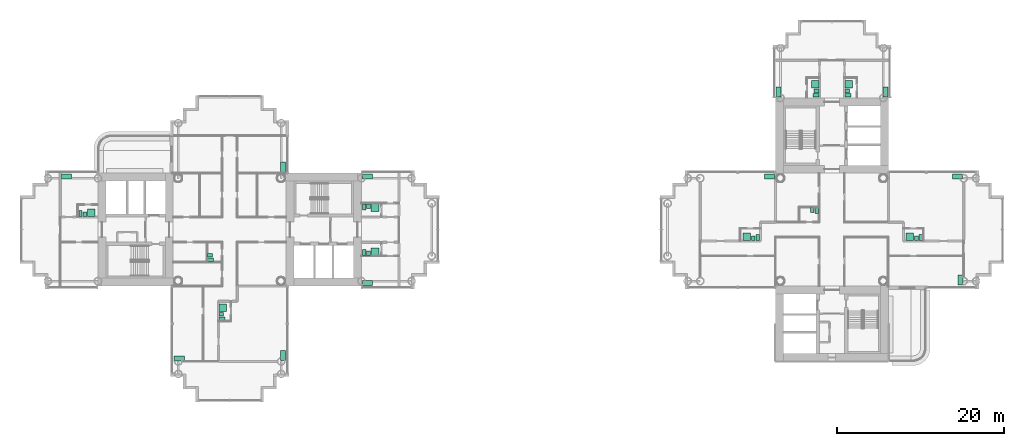
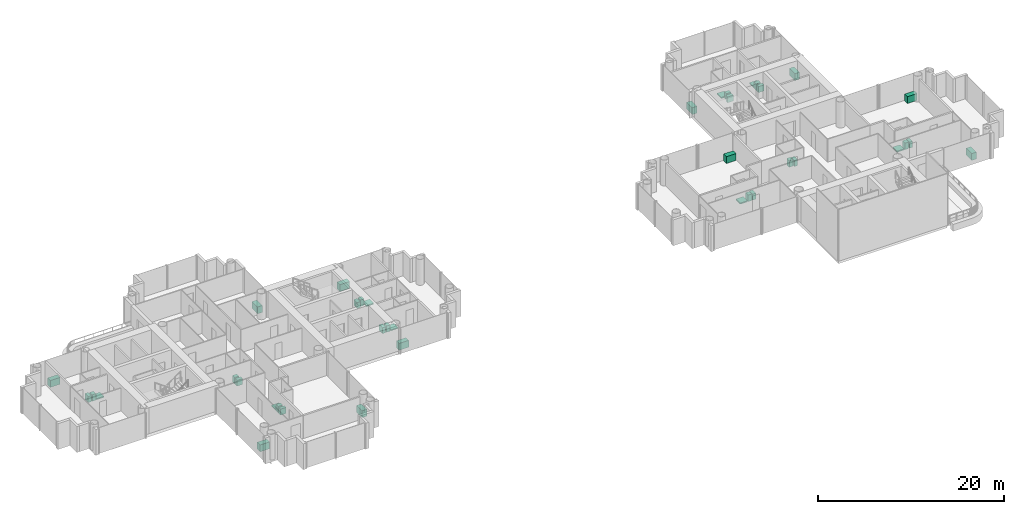
# One storey, part 21 of 21: 39 sanitary terminals.
"""IFC4 building model written with IfcOpenShell, lengths in metres."""

from ifc_helpers import new_model, si_unit, direction, frame, origin, origin_2d, place, context, subcontext, project, spatial, rectangle, extrude, material, type_object, element, save


model = new_model("IFC4")

# Units and contexts
model_context = context("Model", 3, precision=1e-05, world=origin(), true_north=direction((0.0, 1.0)))
body_context = subcontext(model_context, "Body", "Model", "MODEL_VIEW")
ifc_project = project(units=[si_unit("LENGTHUNIT", "METRE"), si_unit("AREAUNIT", "SQUARE_METRE"), si_unit("VOLUMEUNIT", "CUBIC_METRE"), si_unit("PLANEANGLEUNIT", "RADIAN"), si_unit("MASSUNIT", "GRAM", prefix="KILO")], contexts=[model_context])

# Site, building, storey
site_placement = place(None, origin())
site = spatial("IfcSite", under=ifc_project, at=site_placement, CompositionType="ELEMENT")
building_placement = place(site_placement, origin())
building = spatial("IfcBuilding", under=site, at=building_placement, Name="Ipe Terrace Towers", CompositionType="ELEMENT")
storey_placement = place(building_placement, frame((0.0, 0.0, 117.39990234375)))
storey = spatial("IfcBuildingStorey", under=building, at=storey_placement, Name="L32", CompositionType="ELEMENT", Elevation=117.39990234375)

# Sanitary terminals
ifc_material_1 = material(Name="Stainless sink unit", Category="metal")
sanitary_terminal_type_1 = type_object("IfcSanitaryTerminalType", Name="Kitchen sink unit", PredefinedType="SINK", material=ifc_material_1)
for number, where, z_axis, x_axis, name in (
    (1, (-29.6201171875, 7.469970703125, 0.000244140625), (0.0, 0.0, 1.0), (0.0, -1.0, 0.0), "Kitchen sink unit"),
    (2, (-29.6201171875, -15.030029296875, 0.000244140625), (0.0, 0.0, 1.0), (0.0, -1.0, 0.0), "Kitchen sink unit"),
    (3, (-42.030029296875, -15.3798828125, 0.000244140625), (0.0, 0.0, 1.0), (-1.0, 0.0, 0.0), "Kitchen sink unit"),
    (4, (-19.530029296875, 6.3798828125, 0.000244140625), (0.0, 0.0, 1.0), (1.0, 0.0, 0.0), "Kitchen sink unit"),
    (5, (-19.530029296875, -6.3798828125, 0.000244140625), (0.0, 0.0, 1.0), (-1.0, 0.0, 0.0), "Kitchen sink unit"),
    (6, (-55.530029296875, 6.3798828125, 0.000244140625), (0.0, 0.0, 1.0), (1.0, 0.0, 0.0), "Kitchen sink unit"),
    (7, (28.530029296875, 6.3798828125, 0.000244140625), (0.0, 0.0, 1.0), (1.0, 0.0, 0.0), "Kitchen sink unit"),
    (8, (51.030029296875, 6.3798828125, 0.000244140625), (0.0, 0.0, 1.0), (1.0, 0.0, 0.0), "Kitchen sink unit"),
    (9, (51.3798828125, -6.030029296875, 0.000244140625), (0.0, 0.0, 1.0), (0.0, -1.0, 0.0), "Kitchen sink unit"),
    (10, (29.6201171875, 16.469970703125, 0.000244140625), (0.0, 0.0, 1.0), (0.0, 1.0, 0.0), "Kitchen sink unit"),
    (11, (42.3798828125, 16.469970703125, 0.000244140625), (0.0, 0.0, 1.0), (0.0, -1.0, 0.0), "Kitchen sink unit"),
):
    element("IfcSanitaryTerminal", number, at=place(storey_placement, frame(where, z_axis=z_axis, x_axis=x_axis)), inside=storey, type_object=sanitary_terminal_type_1, Name=name, PredefinedType="SINK", context=body_context, shape_type="SweptSolid", body=[
        extrude(rectangle(XDim=1.199951171875, YDim=0.60009765625, at=origin_2d()), origin(), (0.0, 0.0, 1.0), 0.89990234375),
    ])
ifc_material_2 = material(Name="Acrylic", Category="plastic")
sanitary_terminal_type_2 = type_object("IfcSanitaryTerminalType", Name="Shower tray", PredefinedType="SHOWER", material=ifc_material_2)
for number, where, z_axis, x_axis, name in (
    (12, (-36.830078125, -9.330078125, 0.000244140625), (0.0, 0.0, 1.0), (1.0, 0.0, 0.0), "Shower tray"),
    (13, (-18.6298828125, 2.6298828125, 0.000244140625), (0.0, 0.0, 1.0), (0.0, -1.0, 0.0), "Shower tray"),
    (14, (-18.6298828125, -2.6298828125, 0.000244140625), (0.0, 0.0, 1.0), (0.0, 1.0, 0.0), "Shower tray"),
    (15, (-52.530029296875, 2.02001953125, 0.000244140625), (0.0, 0.0, 1.0), (0.0, 1.0, 0.0), "Shower tray"),
    (16, (25.830078125, -0.830078125, 0.000244140625), (0.0, 0.0, 1.0), (0.0, 1.0, 0.0), "Shower tray"),
    (17, (45.330078125, -0.830078125, 0.000244140625), (0.0, 0.0, 1.0), (0.0, 1.0, 0.0), "Shower tray"),
    (18, (33.97998046875, 17.3701171875, 0.000244140625), (0.0, 0.0, 1.0), (-1.0, 0.0, 0.0), "Shower tray"),
    (19, (38.02001953125, 17.3701171875, 0.000244140625), (0.0, 0.0, 1.0), (1.0, 0.0, 0.0), "Shower tray"),
):
    element("IfcSanitaryTerminal", number, at=place(storey_placement, frame(where, z_axis=z_axis, x_axis=x_axis)), inside=storey, type_object=sanitary_terminal_type_2, Name=name, PredefinedType="SHOWER", context=body_context, shape_type="SweptSolid", body=[
        extrude(rectangle(XDim=0.89990234375, YDim=0.89990234375, at=origin_2d()), origin(), (0.0, 0.0, 1.0), 0.14990234375),
    ])
ifc_material_3 = material(Name="Vitreous china", Category="ceramic")
sanitary_terminal_type_3 = type_object("IfcSanitaryTerminalType", Name="Wash basin", PredefinedType="WASHHANDBASIN", material=ifc_material_3)
for number, where, z_axis, x_axis, name in (
    (20, (-38.35498046875, -3.054931640625, 0.0), (0.0, 0.0, 1.0), (1.0, 0.0, 0.0), "Wash basin"),
    (21, (-37.0048828125, -10.10498046875, 0.0), (0.0, 0.0, 1.0), (1.0, 0.0, 0.0), "Wash basin"),
    (22, (-19.405029296875, 2.804931640625, 0.0), (0.0, 0.0, 1.0), (0.0, -1.0, 0.0), "Wash basin"),
    (23, (-19.405029296875, -2.804931640625, 0.0), (0.0, 0.0, 1.0), (0.0, 1.0, 0.0), "Wash basin"),
    (24, (-53.304931640625, 1.844970703125, 0.0), (0.0, 0.0, 1.0), (0.0, 1.0, 0.0), "Wash basin"),
    (25, (33.655029296875, 2.35498046875, 0.0), (0.0, 0.0, 1.0), (0.0, -1.0, 0.0), "Wash basin"),
    (26, (26.60498046875, -1.0048828125, 0.0), (0.0, 0.0, 1.0), (0.0, 1.0, 0.0), "Wash basin"),
    (27, (46.10498046875, -1.0048828125, 0.0), (0.0, 0.0, 1.0), (0.0, 1.0, 0.0), "Wash basin"),
    (28, (34.155029296875, 16.594970703125, 0.0), (0.0, 0.0, 1.0), (-1.0, 0.0, 0.0), "Wash basin"),
    (29, (37.844970703125, 16.594970703125, 0.0), (0.0, 0.0, 1.0), (1.0, 0.0, 0.0), "Wash basin"),
):
    element("IfcSanitaryTerminal", number, at=place(storey_placement, frame(where, z_axis=z_axis, x_axis=x_axis)), inside=storey, type_object=sanitary_terminal_type_3, Name=name, PredefinedType="WASHHANDBASIN", context=body_context, shape_type="SweptSolid", body=[
        extrude(rectangle(XDim=0.550048828125, YDim=0.449951171875, at=origin_2d()), origin(), (0.0, 0.0, 1.0), 0.85009765625),
    ])
ifc_material_4 = material(Name="Vitreous china", Category="ceramic")
sanitary_terminal_type_4 = type_object("IfcSanitaryTerminalType", Name="Water closet", PredefinedType="TOILETPAN", material=ifc_material_4)
for number, where, z_axis, x_axis, name in (
    (30, (-38.280029296875, -3.580078125, 0.0), (0.0, 0.0, 1.0), (1.0, 0.0, 0.0), "Water closet"),
    (31, (-36.929931640625, -10.6298828125, 0.0), (0.0, 0.0, 1.0), (1.0, 0.0, 0.0), "Water closet"),
    (32, (-19.929931640625, 2.72998046875, 0.0), (0.0, 0.0, 1.0), (0.0, -1.0, 0.0), "Water closet"),
    (33, (-19.929931640625, -2.72998046875, 0.0), (0.0, 0.0, 1.0), (0.0, 1.0, 0.0), "Water closet"),
    (34, (-53.830078125, 1.919921875, 0.0), (0.0, 0.0, 1.0), (0.0, 1.0, 0.0), "Water closet"),
    (35, (34.179931640625, 2.280029296875, 0.0), (0.0, 0.0, 1.0), (0.0, -1.0, 0.0), "Water closet"),
    (36, (27.1298828125, -0.929931640625, 0.0), (0.0, 0.0, 1.0), (0.0, 1.0, 0.0), "Water closet"),
    (37, (46.6298828125, -0.929931640625, 0.0), (0.0, 0.0, 1.0), (0.0, 1.0, 0.0), "Water closet"),
    (38, (34.080078125, 16.070068359375, 0.0), (0.0, 0.0, 1.0), (-1.0, 0.0, 0.0), "Water closet"),
    (39, (37.919921875, 16.070068359375, 0.0), (0.0, 0.0, 1.0), (1.0, 0.0, 0.0), "Water closet"),
):
    element("IfcSanitaryTerminal", number, at=place(storey_placement, frame(where, z_axis=z_axis, x_axis=x_axis)), inside=storey, type_object=sanitary_terminal_type_4, Name=name, PredefinedType="TOILETPAN", context=body_context, shape_type="SweptSolid", body=[
        extrude(rectangle(XDim=0.699951171875, YDim=0.39990234375, at=origin_2d()), origin(), (0.0, 0.0, 1.0), 0.780029296875),
    ])

save(model, "model.ifc")
